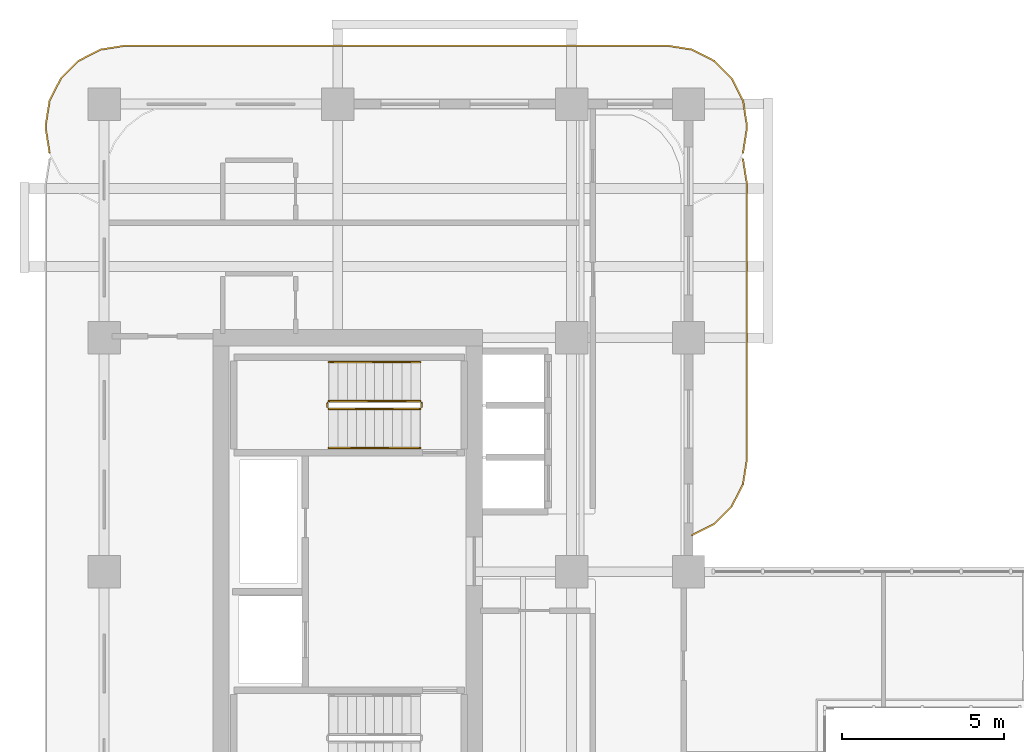
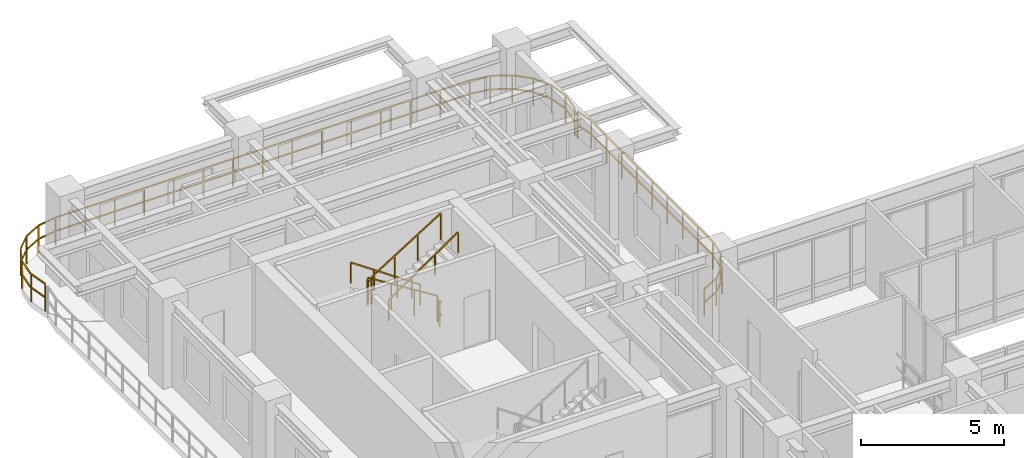
# One storey, part 20 of 20: 8 railings.
"""IFC4 building model written with IfcOpenShell, lengths in metres."""

from ifc_helpers import new_model, si_unit, derived_unit, direction, frame, origin, origin_2d, place, context, subcontext, project, spatial, rectangle, extrude, material, type_object, element, save


model = new_model("IFC4")

# Units and contexts
model_context = context("Model", 3, precision=1e-05, world=origin(), true_north=direction((0.0, 1.0)))
body_context = subcontext(model_context, "Body", "Model", "MODEL_VIEW")
ifc_project = project(units=[si_unit("LENGTHUNIT", "METRE"), si_unit("AREAUNIT", "SQUARE_METRE"), si_unit("VOLUMEUNIT", "CUBIC_METRE"), si_unit("PLANEANGLEUNIT", "RADIAN"), si_unit("MASSUNIT", "GRAM", prefix="KILO"), si_unit("THERMODYNAMICTEMPERATUREUNIT", "KELVIN"), si_unit("POWERUNIT", "WATT"), derived_unit("THERMALTRANSMITTANCEUNIT", [(si_unit("POWERUNIT", "WATT"), 1), (si_unit("AREAUNIT", "SQUARE_METRE"), -1), (si_unit("THERMODYNAMICTEMPERATUREUNIT", "KELVIN"), -1)])], contexts=[model_context])

# Site, building, storey
site_placement = place(None, origin())
site = spatial("IfcSite", under=ifc_project, at=site_placement, CompositionType="ELEMENT")
building_placement = place(site_placement, origin())
building = spatial("IfcBuilding", under=site, at=building_placement, Name="Zahravan Archway Hotel and Residences", CompositionType="ELEMENT")
storey_placement = place(building_placement, frame((0.0, 0.0, 173.39990234375)))
storey = spatial("IfcBuildingStorey", under=building, at=storey_placement, Name="L43", CompositionType="ELEMENT", Elevation=173.39990234375)

# Railings
ifc_material_1 = material(Name="Bronze & Laminated Glass Balustrade", Category="glass")
railing_type_1 = type_object("IfcRailingType", Name="RL-BAL-1200", PredefinedType="BALUSTRADE", material=ifc_material_1)
railing_1_placement = place(storey_placement, frame((-1.68017578125, 45.29296875, 0.0)))
element("IfcRailing", 1, at=railing_1_placement, inside=storey, type_object=railing_type_1, Name="L43 Balustrade RL-SLB-BAL-L43-NB-1", PredefinedType="BALUSTRADE", context=body_context, shape_type="SweptSolid", body=[
    extrude(rectangle(XDim=0.048095703125, YDim=0.048095703125, at=origin_2d()), frame((0.0, 0.0, 1.17578125), z_axis=(-0.156387811283, 0.987695728695, 0.0), x_axis=(-0.987695728695, -0.156387811283, 0.0)), (0.0, 0.0, 1.0), 0.7666015625),
    extrude(rectangle(XDim=0.048095703125, YDim=0.048095703125, at=origin_2d()), frame((0.0, 0.0, 0.60009765625), z_axis=(-0.156387811283, 0.987695728695, 0.0), x_axis=(-0.987695728695, -0.156387811283, 0.0)), (0.0, 0.0, 1.0), 0.7666015625),
    extrude(rectangle(XDim=0.048095703125, YDim=0.048095703125, at=origin_2d()), frame((-0.119873046875, 0.757080078125, 1.17578125), z_axis=(0.0, 1.0, 0.0), x_axis=(-1.0, 0.0, 0.0)), (0.0, 0.0, 1.0), 0.099853515625),
    extrude(rectangle(XDim=0.048095703125, YDim=0.048095703125, at=origin_2d()), frame((-0.119873046875, 0.757080078125, 0.60009765625), z_axis=(0.0, 1.0, 0.0), x_axis=(-1.0, 0.0, 0.0)), (0.0, 0.0, 1.0), 0.099853515625),
    extrude(rectangle(XDim=0.048095703125, YDim=0.048095703125, at=origin_2d()), frame((-0.119873046875, 0.85693359375, 1.17578125), z_axis=(0.156387811283, 0.987695728695, 0.0), x_axis=(-0.987695728695, 0.156387811283, 0.0)), (0.0, 0.0, 1.0), 0.7666015625),
    extrude(rectangle(XDim=0.048095703125, YDim=0.048095703125, at=origin_2d()), frame((-0.119873046875, 0.85693359375, 0.60009765625), z_axis=(0.156387811283, 0.987695728695, 0.0), x_axis=(-0.987695728695, 0.156387811283, 0.0)), (0.0, 0.0, 1.0), 0.7666015625),
    extrude(rectangle(XDim=0.048095703125, YDim=0.048095703125, at=origin_2d()), frame((0.0, 1.614013671875, 1.17578125), z_axis=(0.454078418624, 0.890961721815, 0.0), x_axis=(-0.890961721815, 0.454078418624, 0.0)), (0.0, 0.0, 1.0), 0.7666015625),
    extrude(rectangle(XDim=0.048095703125, YDim=0.048095703125, at=origin_2d()), frame((0.0, 1.614013671875, 0.60009765625), z_axis=(0.454078418624, 0.890961721815, 0.0), x_axis=(-0.890961721815, 0.454078418624, 0.0)), (0.0, 0.0, 1.0), 0.7666015625),
    extrude(rectangle(XDim=0.048095703125, YDim=0.048095703125, at=origin_2d()), frame((0.34814453125, 2.297119140625, 1.17578125), z_axis=(0.707106781187, 0.707106781187, 0.0), x_axis=(-0.707106781187, 0.707106781187, 0.0)), (0.0, 0.0, 1.0), 0.7666015625),
    extrude(rectangle(XDim=0.048095703125, YDim=0.048095703125, at=origin_2d()), frame((0.34814453125, 2.297119140625, 0.60009765625), z_axis=(0.707106781187, 0.707106781187, 0.0), x_axis=(-0.707106781187, 0.707106781187, 0.0)), (0.0, 0.0, 1.0), 0.7666015625),
    extrude(rectangle(XDim=0.048095703125, YDim=0.048095703125, at=origin_2d()), frame((0.89013671875, 2.839111328125, 1.17578125), z_axis=(0.891024909783, 0.453954414172, 0.0), x_axis=(-0.453954414172, 0.891024909783, 0.0)), (0.0, 0.0, 1.0), 0.766357421875),
    extrude(rectangle(XDim=0.048095703125, YDim=0.048095703125, at=origin_2d()), frame((0.89013671875, 2.839111328125, 0.60009765625), z_axis=(0.891024909783, 0.453954414172, 0.0), x_axis=(-0.453954414172, 0.891024909783, 0.0)), (0.0, 0.0, 1.0), 0.766357421875),
    extrude(rectangle(XDim=0.048095703125, YDim=0.048095703125, at=origin_2d()), frame((1.572998046875, 3.18701171875, 1.17578125), z_axis=(0.987646484274, 0.156698507018, 0.0), x_axis=(-0.156698507018, 0.987646484274, 0.0)), (0.0, 0.0, 1.0), 0.7666015625),
    extrude(rectangle(XDim=0.048095703125, YDim=0.048095703125, at=origin_2d()), frame((1.572998046875, 3.18701171875, 0.60009765625), z_axis=(0.987646484274, 0.156698507018, 0.0), x_axis=(-0.156698507018, 0.987646484274, 0.0)), (0.0, 0.0, 1.0), 0.7666015625),
    extrude(rectangle(XDim=0.048095703125, YDim=0.048095703125, at=origin_2d()), frame((2.330078125, 3.30712890625, 1.17578125), z_axis=(1.0, 0.0, 0.0), x_axis=(0.0, 1.0, 0.0)), (0.0, 0.0, 1.0), 16.7001953125),
    extrude(rectangle(XDim=0.048095703125, YDim=0.048095703125, at=origin_2d()), frame((2.330078125, 3.30712890625, 0.60009765625), z_axis=(1.0, 0.0, 0.0), x_axis=(0.0, 1.0, 0.0)), (0.0, 0.0, 1.0), 16.7001953125),
    extrude(rectangle(XDim=0.048095703125, YDim=0.048095703125, at=origin_2d()), frame((19.0302734375, 3.30712890625, 1.17578125), z_axis=(0.987646484274, -0.156698507018, 0.0), x_axis=(0.156698507018, 0.987646484274, 0.0)), (0.0, 0.0, 1.0), 0.7666015625),
    extrude(rectangle(XDim=0.048095703125, YDim=0.048095703125, at=origin_2d()), frame((19.0302734375, 3.30712890625, 0.60009765625), z_axis=(0.987646484274, -0.156698507018, 0.0), x_axis=(0.156698507018, 0.987646484274, 0.0)), (0.0, 0.0, 1.0), 0.7666015625),
    extrude(rectangle(XDim=0.048095703125, YDim=0.048095703125, at=origin_2d()), frame((19.787353515625, 3.18701171875, 1.17578125), z_axis=(0.891024909783, -0.453954414172, 0.0), x_axis=(0.453954414172, 0.891024909783, 0.0)), (0.0, 0.0, 1.0), 0.766357421875),
    extrude(rectangle(XDim=0.048095703125, YDim=0.048095703125, at=origin_2d()), frame((19.787353515625, 3.18701171875, 0.60009765625), z_axis=(0.891024909783, -0.453954414172, 0.0), x_axis=(0.453954414172, 0.891024909783, 0.0)), (0.0, 0.0, 1.0), 0.766357421875),
    extrude(rectangle(XDim=0.048095703125, YDim=0.048095703125, at=origin_2d()), frame((20.47021484375, 2.839111328125, 1.17578125), z_axis=(0.707106781187, -0.707106781187, 0.0), x_axis=(0.707106781187, 0.707106781187, 0.0)), (0.0, 0.0, 1.0), 0.7666015625),
    extrude(rectangle(XDim=0.048095703125, YDim=0.048095703125, at=origin_2d()), frame((20.47021484375, 2.839111328125, 0.60009765625), z_axis=(0.707106781187, -0.707106781187, 0.0), x_axis=(0.707106781187, 0.707106781187, 0.0)), (0.0, 0.0, 1.0), 0.7666015625),
    extrude(rectangle(XDim=0.048095703125, YDim=0.048095703125, at=origin_2d()), frame((21.01220703125, 2.297119140625, 1.17578125), z_axis=(0.454078418624, -0.890961721815, 0.0), x_axis=(0.890961721815, 0.454078418624, 0.0)), (0.0, 0.0, 1.0), 0.7666015625),
    extrude(rectangle(XDim=0.048095703125, YDim=0.048095703125, at=origin_2d()), frame((21.01220703125, 2.297119140625, 0.60009765625), z_axis=(0.454078418624, -0.890961721815, 0.0), x_axis=(0.890961721815, 0.454078418624, 0.0)), (0.0, 0.0, 1.0), 0.7666015625),
    extrude(rectangle(XDim=0.048095703125, YDim=0.048095703125, at=origin_2d()), frame((21.3603515625, 1.614013671875, 1.17578125), z_axis=(0.156387811283, -0.987695728695, 0.0), x_axis=(0.987695728695, 0.156387811283, 0.0)), (0.0, 0.0, 1.0), 0.7666015625),
    extrude(rectangle(XDim=0.048095703125, YDim=0.048095703125, at=origin_2d()), frame((21.3603515625, 1.614013671875, 0.60009765625), z_axis=(0.156387811283, -0.987695728695, 0.0), x_axis=(0.987695728695, 0.156387811283, 0.0)), (0.0, 0.0, 1.0), 0.7666015625),
    extrude(rectangle(XDim=0.048095703125, YDim=0.048095703125, at=origin_2d()), frame((21.480224609375, 0.85693359375, 1.17578125), z_axis=(0.0, -1.0, 0.0), x_axis=(1.0, 0.0, 0.0)), (0.0, 0.0, 1.0), 0.099853515625),
    extrude(rectangle(XDim=0.048095703125, YDim=0.048095703125, at=origin_2d()), frame((21.480224609375, 0.85693359375, 0.60009765625), z_axis=(0.0, -1.0, 0.0), x_axis=(1.0, 0.0, 0.0)), (0.0, 0.0, 1.0), 0.099853515625),
    extrude(rectangle(XDim=0.048095703125, YDim=0.048095703125, at=origin_2d()), frame((21.480224609375, 0.757080078125, 1.17578125), z_axis=(-0.156387811283, -0.987695728695, 0.0), x_axis=(0.987695728695, -0.156387811283, 0.0)), (0.0, 0.0, 1.0), 0.7666015625),
    extrude(rectangle(XDim=0.048095703125, YDim=0.048095703125, at=origin_2d()), frame((21.480224609375, 0.757080078125, 0.60009765625), z_axis=(-0.156387811283, -0.987695728695, 0.0), x_axis=(0.987695728695, -0.156387811283, 0.0)), (0.0, 0.0, 1.0), 0.7666015625),
    extrude(rectangle(XDim=0.0419921875, YDim=0.0419921875, at=origin_2d()), origin(), (0.0, 0.0, 1.0), 1.15185546875),
    extrude(rectangle(XDim=0.0419921875, YDim=0.0419921875, at=origin_2d()), frame((-0.119873046875, 0.757080078125, 0.0)), (0.0, 0.0, 1.0), 1.15185546875),
    extrude(rectangle(XDim=0.0419921875, YDim=0.0419921875, at=origin_2d()), frame((0.0, 1.614013671875, 0.0)), (0.0, 0.0, 1.0), 1.15185546875),
    extrude(rectangle(XDim=0.0419921875, YDim=0.0419921875, at=origin_2d()), frame((0.34814453125, 2.297119140625, 0.0)), (0.0, 0.0, 1.0), 1.15185546875),
    extrude(rectangle(XDim=0.0419921875, YDim=0.0419921875, at=origin_2d()), frame((0.89013671875, 2.839111328125, 0.0)), (0.0, 0.0, 1.0), 1.15185546875),
    extrude(rectangle(XDim=0.0419921875, YDim=0.0419921875, at=origin_2d()), frame((1.572998046875, 3.18701171875, 0.0)), (0.0, 0.0, 1.0), 1.15185546875),
    extrude(rectangle(XDim=0.0419921875, YDim=0.0419921875, at=origin_2d()), frame((2.330078125, 3.30712890625, 0.0)), (0.0, 0.0, 1.0), 1.15185546875),
    extrude(rectangle(XDim=0.0419921875, YDim=0.0419921875, at=origin_2d()), frame((3.52294921875, 3.30712890625, 0.0)), (0.0, 0.0, 1.0), 1.15185546875),
    extrude(rectangle(XDim=0.0419921875, YDim=0.0419921875, at=origin_2d()), frame((4.7158203125, 3.30712890625, 0.0)), (0.0, 0.0, 1.0), 1.15185546875),
    extrude(rectangle(XDim=0.0419921875, YDim=0.0419921875, at=origin_2d()), frame((5.90869140625, 3.30712890625, 0.0)), (0.0, 0.0, 1.0), 1.15185546875),
    extrude(rectangle(XDim=0.0419921875, YDim=0.0419921875, at=origin_2d()), frame((7.1015625, 3.30712890625, 0.0)), (0.0, 0.0, 1.0), 1.15185546875),
    extrude(rectangle(XDim=0.0419921875, YDim=0.0419921875, at=origin_2d()), frame((8.29443359375, 3.30712890625, 0.0)), (0.0, 0.0, 1.0), 1.15185546875),
    extrude(rectangle(XDim=0.0419921875, YDim=0.0419921875, at=origin_2d()), frame((9.4873046875, 3.30712890625, 0.0)), (0.0, 0.0, 1.0), 1.15185546875),
    extrude(rectangle(XDim=0.0419921875, YDim=0.0419921875, at=origin_2d()), frame((10.68017578125, 3.30712890625, 0.0)), (0.0, 0.0, 1.0), 1.15185546875),
    extrude(rectangle(XDim=0.0419921875, YDim=0.0419921875, at=origin_2d()), frame((11.873046875, 3.30712890625, 0.0)), (0.0, 0.0, 1.0), 1.15185546875),
    extrude(rectangle(XDim=0.0419921875, YDim=0.0419921875, at=origin_2d()), frame((13.06591796875, 3.30712890625, 0.0)), (0.0, 0.0, 1.0), 1.15185546875),
    extrude(rectangle(XDim=0.0419921875, YDim=0.0419921875, at=origin_2d()), frame((14.2587890625, 3.30712890625, 0.0)), (0.0, 0.0, 1.0), 1.15185546875),
    extrude(rectangle(XDim=0.0419921875, YDim=0.0419921875, at=origin_2d()), frame((15.45166015625, 3.30712890625, 0.0)), (0.0, 0.0, 1.0), 1.15185546875),
    extrude(rectangle(XDim=0.0419921875, YDim=0.0419921875, at=origin_2d()), frame((16.64453125, 3.30712890625, 0.0)), (0.0, 0.0, 1.0), 1.15185546875),
    extrude(rectangle(XDim=0.0419921875, YDim=0.0419921875, at=origin_2d()), frame((17.83740234375, 3.30712890625, 0.0)), (0.0, 0.0, 1.0), 1.15185546875),
    extrude(rectangle(XDim=0.0419921875, YDim=0.0419921875, at=origin_2d()), frame((19.0302734375, 3.30712890625, 0.0)), (0.0, 0.0, 1.0), 1.15185546875),
    extrude(rectangle(XDim=0.0419921875, YDim=0.0419921875, at=origin_2d()), frame((19.787353515625, 3.18701171875, 0.0)), (0.0, 0.0, 1.0), 1.15185546875),
    extrude(rectangle(XDim=0.0419921875, YDim=0.0419921875, at=origin_2d()), frame((20.47021484375, 2.839111328125, 0.0)), (0.0, 0.0, 1.0), 1.15185546875),
    extrude(rectangle(XDim=0.0419921875, YDim=0.0419921875, at=origin_2d()), frame((21.01220703125, 2.297119140625, 0.0)), (0.0, 0.0, 1.0), 1.15185546875),
    extrude(rectangle(XDim=0.0419921875, YDim=0.0419921875, at=origin_2d()), frame((21.3603515625, 1.614013671875, 0.0)), (0.0, 0.0, 1.0), 1.15185546875),
    extrude(rectangle(XDim=0.0419921875, YDim=0.0419921875, at=origin_2d()), frame((21.480224609375, 0.85693359375, 0.0)), (0.0, 0.0, 1.0), 1.15185546875),
    extrude(rectangle(XDim=0.0419921875, YDim=0.0419921875, at=origin_2d()), frame((21.3603515625, 0.0, 0.0)), (0.0, 0.0, 1.0), 1.15185546875),
])
railing_2_placement = place(storey_placement, frame((19.68017578125, 45.107177734375, 0.0)))
element("IfcRailing", 2, at=railing_2_placement, inside=storey, type_object=railing_type_1, Name="L43 Balustrade RL-SLB-BAL-L43-EB-1", PredefinedType="BALUSTRADE", context=body_context, shape_type="SweptSolid", body=[
    extrude(rectangle(XDim=0.048095703125, YDim=0.048095703125, at=origin_2d()), frame((0.0, 0.0, 1.17578125), z_axis=(0.156387811283, -0.987695728695, 0.0), x_axis=(0.987695728695, 0.156387811283, 0.0)), (0.0, 0.0, 1.0), 0.7666015625),
    extrude(rectangle(XDim=0.048095703125, YDim=0.048095703125, at=origin_2d()), frame((0.0, 0.0, 0.60009765625), z_axis=(0.156387811283, -0.987695728695, 0.0), x_axis=(0.987695728695, 0.156387811283, 0.0)), (0.0, 0.0, 1.0), 0.7666015625),
    extrude(rectangle(XDim=0.048095703125, YDim=0.048095703125, at=origin_2d()), frame((0.119873046875, -0.757080078125, 1.17578125), z_axis=(0.0, -1.0, 0.0), x_axis=(1.0, 0.0, 0.0)), (0.0, 0.0, 1.0), 8.5),
    extrude(rectangle(XDim=0.048095703125, YDim=0.048095703125, at=origin_2d()), frame((0.119873046875, -0.757080078125, 0.60009765625), z_axis=(0.0, -1.0, 0.0), x_axis=(1.0, 0.0, 0.0)), (0.0, 0.0, 1.0), 8.5),
    extrude(rectangle(XDim=0.048095703125, YDim=0.048095703125, at=origin_2d()), frame((0.119873046875, -9.257080078125, 1.17578125), z_axis=(-0.156387811283, -0.987695728695, 0.0), x_axis=(0.987695728695, -0.156387811283, 0.0)), (0.0, 0.0, 1.0), 0.7666015625),
    extrude(rectangle(XDim=0.048095703125, YDim=0.048095703125, at=origin_2d()), frame((0.119873046875, -9.257080078125, 0.60009765625), z_axis=(-0.156387811283, -0.987695728695, 0.0), x_axis=(0.987695728695, -0.156387811283, 0.0)), (0.0, 0.0, 1.0), 0.7666015625),
    extrude(rectangle(XDim=0.048095703125, YDim=0.048095703125, at=origin_2d()), frame((0.0, -10.01416015625, 1.17578125), z_axis=(-0.454078418624, -0.890961721815, 0.0), x_axis=(0.890961721815, -0.454078418624, 0.0)), (0.0, 0.0, 1.0), 0.7666015625),
    extrude(rectangle(XDim=0.048095703125, YDim=0.048095703125, at=origin_2d()), frame((0.0, -10.01416015625, 0.60009765625), z_axis=(-0.454078418624, -0.890961721815, 0.0), x_axis=(0.890961721815, -0.454078418624, 0.0)), (0.0, 0.0, 1.0), 0.7666015625),
    extrude(rectangle(XDim=0.048095703125, YDim=0.048095703125, at=origin_2d()), frame((-0.34814453125, -10.697265625, 1.17578125), z_axis=(-0.707106781187, -0.707106781187, 0.0), x_axis=(0.707106781187, -0.707106781187, 0.0)), (0.0, 0.0, 1.0), 0.7666015625),
    extrude(rectangle(XDim=0.048095703125, YDim=0.048095703125, at=origin_2d()), frame((-0.34814453125, -10.697265625, 0.60009765625), z_axis=(-0.707106781187, -0.707106781187, 0.0), x_axis=(0.707106781187, -0.707106781187, 0.0)), (0.0, 0.0, 1.0), 0.7666015625),
    extrude(rectangle(XDim=0.048095703125, YDim=0.048095703125, at=origin_2d()), frame((-0.89013671875, -11.2392578125, 1.17578125), z_axis=(-0.891024909783, -0.453954414172, 0.0), x_axis=(0.453954414172, -0.891024909783, 0.0)), (0.0, 0.0, 1.0), 0.766357421875),
    extrude(rectangle(XDim=0.048095703125, YDim=0.048095703125, at=origin_2d()), frame((-0.89013671875, -11.2392578125, 0.60009765625), z_axis=(-0.891024909783, -0.453954414172, 0.0), x_axis=(0.453954414172, -0.891024909783, 0.0)), (0.0, 0.0, 1.0), 0.766357421875),
    extrude(rectangle(XDim=0.0419921875, YDim=0.0419921875, at=origin_2d()), origin(), (0.0, 0.0, 1.0), 1.15185546875),
    extrude(rectangle(XDim=0.0419921875, YDim=0.0419921875, at=origin_2d()), frame((0.119873046875, -0.757080078125, 0.0)), (0.0, 0.0, 1.0), 1.15185546875),
    extrude(rectangle(XDim=0.0419921875, YDim=0.0419921875, at=origin_2d()), frame((0.119873046875, -1.819580078125, 0.0)), (0.0, 0.0, 1.0), 1.15185546875),
    extrude(rectangle(XDim=0.0419921875, YDim=0.0419921875, at=origin_2d()), frame((0.119873046875, -2.882080078125, 0.0)), (0.0, 0.0, 1.0), 1.15185546875),
    extrude(rectangle(XDim=0.0419921875, YDim=0.0419921875, at=origin_2d()), frame((0.119873046875, -3.944580078125, 0.0)), (0.0, 0.0, 1.0), 1.15185546875),
    extrude(rectangle(XDim=0.0419921875, YDim=0.0419921875, at=origin_2d()), frame((0.119873046875, -5.007080078125, 0.0)), (0.0, 0.0, 1.0), 1.15185546875),
    extrude(rectangle(XDim=0.0419921875, YDim=0.0419921875, at=origin_2d()), frame((0.119873046875, -6.069580078125, 0.0)), (0.0, 0.0, 1.0), 1.15185546875),
    extrude(rectangle(XDim=0.0419921875, YDim=0.0419921875, at=origin_2d()), frame((0.119873046875, -7.132080078125, 0.0)), (0.0, 0.0, 1.0), 1.15185546875),
    extrude(rectangle(XDim=0.0419921875, YDim=0.0419921875, at=origin_2d()), frame((0.119873046875, -8.194580078125, 0.0)), (0.0, 0.0, 1.0), 1.15185546875),
    extrude(rectangle(XDim=0.0419921875, YDim=0.0419921875, at=origin_2d()), frame((0.119873046875, -9.257080078125, 0.0)), (0.0, 0.0, 1.0), 1.15185546875),
    extrude(rectangle(XDim=0.0419921875, YDim=0.0419921875, at=origin_2d()), frame((0.0, -10.01416015625, 0.0)), (0.0, 0.0, 1.0), 1.15185546875),
    extrude(rectangle(XDim=0.0419921875, YDim=0.0419921875, at=origin_2d()), frame((-0.34814453125, -10.697265625, 0.0)), (0.0, 0.0, 1.0), 1.15185546875),
    extrude(rectangle(XDim=0.0419921875, YDim=0.0419921875, at=origin_2d()), frame((-0.89013671875, -11.2392578125, 0.0)), (0.0, 0.0, 1.0), 1.15185546875),
    extrude(rectangle(XDim=0.0419921875, YDim=0.0419921875, at=origin_2d()), frame((-1.572998046875, -11.587158203125, 0.0)), (0.0, 0.0, 1.0), 1.15185546875),
])
ifc_material_2 = material(Name="Painted Tubular Steel", Category="steel")
railing_type_2 = type_object("IfcRailingType", Name="RL-STG-1150", PredefinedType="GUARDRAIL", material=ifc_material_2)
railing_3_placement = place(storey_placement, frame((9.72998046875, 37.64990234375, 0.175048828125)))
element("IfcRailing", 3, at=railing_3_placement, inside=storey, type_object=railing_type_2, Name="L43 ST-B2 stair guard 1", PredefinedType="GUARDRAIL", context=body_context, shape_type="SweptSolid", body=[
    extrude(rectangle(XDim=0.048095703125, YDim=0.048095703125, at=origin_2d()), frame((0.0, 0.0, 1.1259765625), z_axis=(-0.848002457836, 0.0, 0.529992293815), x_axis=(0.0, -1.0, 0.0)), (0.0, 0.0, 1.0), 3.302001953125),
    extrude(rectangle(XDim=0.0419921875, YDim=0.0419921875, at=origin_2d()), origin(), (0.0, 0.0, 1.0), 1.101806640625),
    extrude(rectangle(XDim=0.0419921875, YDim=0.0419921875, at=origin_2d()), frame((-0.933349609375, 0.0, 0.583251953125)), (0.0, 0.0, 1.0), 1.101806640625),
    extrude(rectangle(XDim=0.0419921875, YDim=0.0419921875, at=origin_2d()), frame((-1.86669921875, 0.0, 1.166748046875)), (0.0, 0.0, 1.0), 1.101806640625),
    extrude(rectangle(XDim=0.0419921875, YDim=0.0419921875, at=origin_2d()), frame((-2.800048828125, 0.0, 1.75)), (0.0, 0.0, 1.0), 1.101806640625),
])
railing_4_placement = place(storey_placement, frame((6.8798828125, 37.60009765625, 1.925048828125)))
element("IfcRailing", 4, at=railing_4_placement, inside=storey, type_object=railing_type_2, Name="L43 ST-B2 stair guard 2", PredefinedType="GUARDRAIL", context=body_context, shape_type="SweptSolid", body=[
    extrude(rectangle(XDim=0.048095703125, YDim=0.048095703125, at=origin_2d()), frame((0.0, 0.0, 1.1259765625), z_axis=(0.0, -1.0, 0.0), x_axis=(1.0, 0.0, 0.0)), (0.0, 0.0, 1.0), 0.14013671875),
    extrude(rectangle(XDim=0.048095703125, YDim=0.048095703125, at=origin_2d()), frame((0.0, 0.0, 0.574951171875), z_axis=(0.0, -1.0, 0.0), x_axis=(1.0, 0.0, 0.0)), (0.0, 0.0, 1.0), 0.14013671875),
    extrude(rectangle(XDim=0.0419921875, YDim=0.0419921875, at=origin_2d()), origin(), (0.0, 0.0, 1.0), 1.101806640625),
])
railing_5_placement = place(storey_placement, frame((6.929931640625, 37.409912109375, 2.10009765625)))
element("IfcRailing", 5, at=railing_5_placement, inside=storey, type_object=railing_type_2, Name="L43 ST-B2 stair guard 3", PredefinedType="GUARDRAIL", context=body_context, shape_type="SweptSolid", body=[
    extrude(rectangle(XDim=0.048095703125, YDim=0.048095703125, at=origin_2d()), frame((0.0, 0.0, 1.1259765625), z_axis=(0.848002457836, 0.0, 0.529992293815), x_axis=(0.0, 1.0, 0.0)), (0.0, 0.0, 1.0), 3.302001953125),
    extrude(rectangle(XDim=0.0419921875, YDim=0.0419921875, at=origin_2d()), origin(), (0.0, 0.0, 1.0), 1.101806640625),
    extrude(rectangle(XDim=0.0419921875, YDim=0.0419921875, at=origin_2d()), frame((0.933349609375, 0.0, 0.583251953125)), (0.0, 0.0, 1.0), 1.101806640625),
    extrude(rectangle(XDim=0.0419921875, YDim=0.0419921875, at=origin_2d()), frame((1.86669921875, 0.0, 1.166748046875)), (0.0, 0.0, 1.0), 1.101806640625),
    extrude(rectangle(XDim=0.0419921875, YDim=0.0419921875, at=origin_2d()), frame((2.800048828125, 0.0, 1.75)), (0.0, 0.0, 1.0), 1.101806640625),
])
railing_6_placement = place(storey_placement, frame((9.780029296875, 37.60009765625, 0.0)))
element("IfcRailing", 6, at=railing_6_placement, inside=storey, type_object=railing_type_2, Name="L43 ST-B2 stair guard 4", PredefinedType="GUARDRAIL", context=body_context, shape_type="SweptSolid", body=[
    extrude(rectangle(XDim=0.048095703125, YDim=0.048095703125, at=origin_2d()), frame((0.0, 0.0, 1.1259765625), z_axis=(0.0, -1.0, 0.0), x_axis=(1.0, 0.0, 0.0)), (0.0, 0.0, 1.0), 0.14013671875),
    extrude(rectangle(XDim=0.048095703125, YDim=0.048095703125, at=origin_2d()), frame((0.0, 0.0, 0.574951171875), z_axis=(0.0, -1.0, 0.0), x_axis=(1.0, 0.0, 0.0)), (0.0, 0.0, 1.0), 0.14013671875),
    extrude(rectangle(XDim=0.0419921875, YDim=0.0419921875, at=origin_2d()), origin(), (0.0, 0.0, 1.0), 1.101806640625),
])
ifc_material_3 = material(Name="Brushed Stainless Steel", Category="steel")
railing_type_3 = type_object("IfcRailingType", Name="RL-STH-900", PredefinedType="HANDRAIL", material=ifc_material_3)
railing_7_placement = place(storey_placement, frame((9.72998046875, 38.85009765625, 0.175048828125)))
element("IfcRailing", 7, at=railing_7_placement, inside=storey, type_object=railing_type_3, Name="L43 ST-B2 stair handrail 1", PredefinedType="HANDRAIL", context=body_context, shape_type="SweptSolid", body=[
    extrude(rectangle(XDim=0.048095703125, YDim=0.048095703125, at=origin_2d()), frame((0.0, 0.0, 0.8759765625), z_axis=(-0.824039827795, 0.0, 0.566531872191), x_axis=(0.0, -1.0, 0.0)), (0.0, 0.0, 1.0), 3.39794921875),
    extrude(rectangle(XDim=0.0419921875, YDim=0.0419921875, at=origin_2d()), origin(), (0.0, 0.0, 1.0), 0.851806640625),
    extrude(rectangle(XDim=0.0419921875, YDim=0.0419921875, at=origin_2d()), frame((-0.933349609375, 0.0, 0.6416015625)), (0.0, 0.0, 1.0), 0.851806640625),
    extrude(rectangle(XDim=0.0419921875, YDim=0.0419921875, at=origin_2d()), frame((-1.86669921875, 0.0, 1.283447265625)), (0.0, 0.0, 1.0), 0.851806640625),
    extrude(rectangle(XDim=0.0419921875, YDim=0.0419921875, at=origin_2d()), frame((-2.800048828125, 0.0, 1.925048828125)), (0.0, 0.0, 1.0), 0.851806640625),
])
railing_8_placement = place(storey_placement, frame((6.929931640625, 36.2099609375, 2.10009765625)))
element("IfcRailing", 8, at=railing_8_placement, inside=storey, type_object=railing_type_3, Name="L43 ST-B2 stair handrail 2", PredefinedType="HANDRAIL", context=body_context, shape_type="SweptSolid", body=[
    extrude(rectangle(XDim=0.048095703125, YDim=0.048095703125, at=origin_2d()), frame((0.0, 0.0, 0.8759765625), z_axis=(0.824039827795, 0.0, 0.566531872191), x_axis=(0.0, 1.0, 0.0)), (0.0, 0.0, 1.0), 3.39794921875),
    extrude(rectangle(XDim=0.0419921875, YDim=0.0419921875, at=origin_2d()), origin(), (0.0, 0.0, 1.0), 0.851806640625),
    extrude(rectangle(XDim=0.0419921875, YDim=0.0419921875, at=origin_2d()), frame((0.933349609375, 0.0, 0.6416015625)), (0.0, 0.0, 1.0), 0.851806640625),
    extrude(rectangle(XDim=0.0419921875, YDim=0.0419921875, at=origin_2d()), frame((1.86669921875, 0.0, 1.283447265625)), (0.0, 0.0, 1.0), 0.851806640625),
    extrude(rectangle(XDim=0.0419921875, YDim=0.0419921875, at=origin_2d()), frame((2.800048828125, 0.0, 1.925048828125)), (0.0, 0.0, 1.0), 0.851806640625),
])

save(model, "model.ifc")
